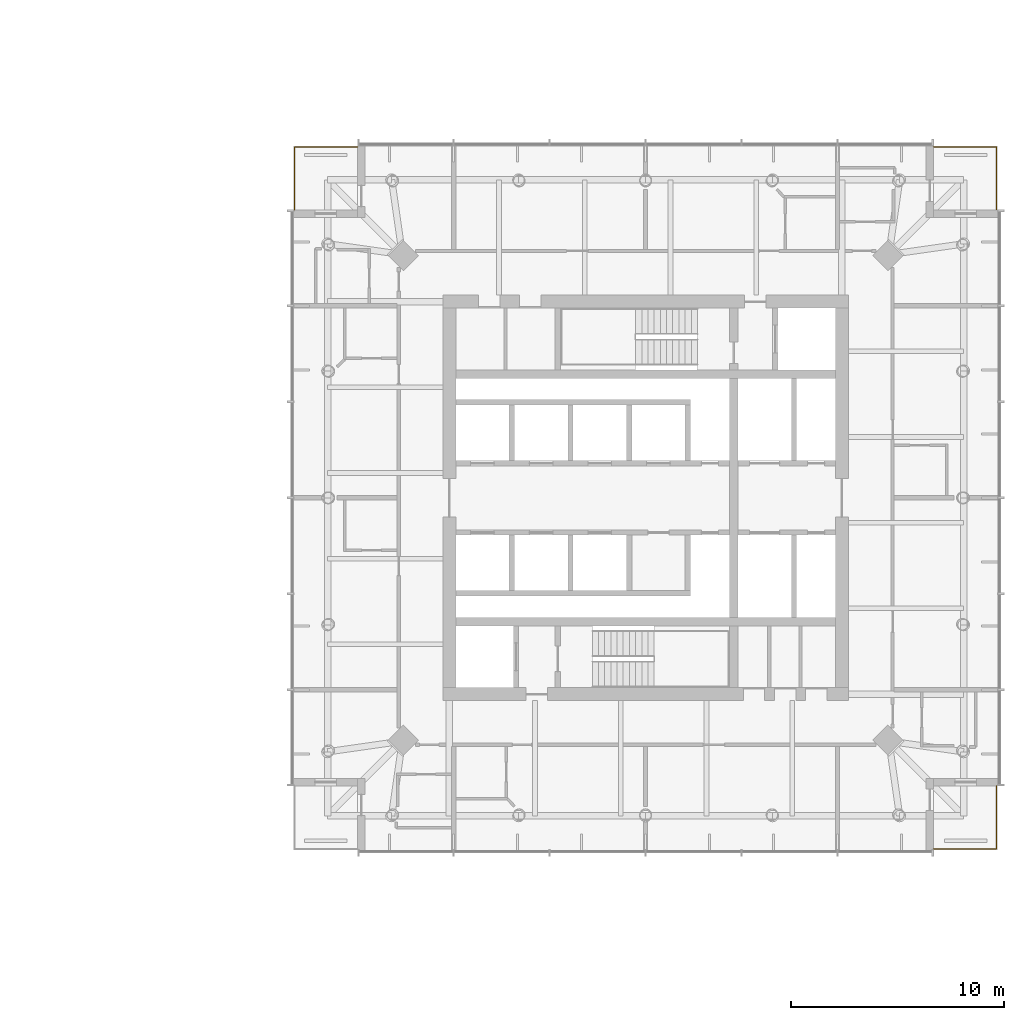
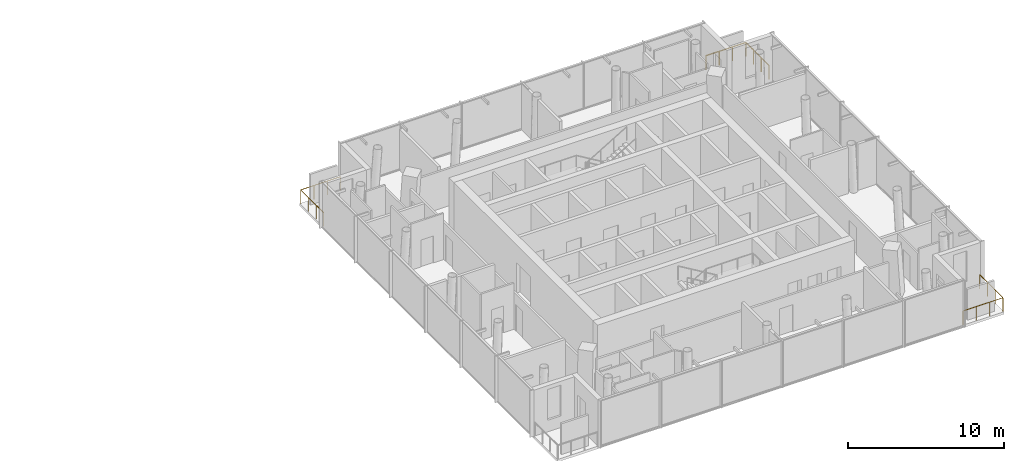
# One storey, part 19 of 19: 3 railings.
"""IFC4 building model written with IfcOpenShell, lengths in metres."""

from ifc_helpers import new_model, si_unit, direction, frame, origin, origin_2d, place, context, subcontext, project, spatial, circle, extrude, material, type_object, element, save


model = new_model("IFC4")

# Units and contexts
model_context = context("Model", 3, precision=1e-05, world=origin(), true_north=direction((0.0, 1.0)))
body_context = subcontext(model_context, "Body", "Model", "MODEL_VIEW")
ifc_project = project(units=[si_unit("LENGTHUNIT", "METRE"), si_unit("AREAUNIT", "SQUARE_METRE"), si_unit("VOLUMEUNIT", "CUBIC_METRE"), si_unit("PLANEANGLEUNIT", "RADIAN"), si_unit("MASSUNIT", "GRAM", prefix="KILO")], contexts=[model_context])

# Site, building, storey
site_placement = place(None, origin())
site = spatial("IfcSite", under=ifc_project, at=site_placement, CompositionType="ELEMENT")
building_placement = place(site_placement, origin())
building = spatial("IfcBuilding", under=site, at=building_placement, Name="Ostroluk Exchange", CompositionType="ELEMENT")
storey_placement = place(building_placement, frame((0.0, 0.0, 116.0)))
storey = spatial("IfcBuildingStorey", under=building, at=storey_placement, Name="L29", CompositionType="ELEMENT", Elevation=116.0)

# Railings
ifc_material = material(Name="Stainless steel", Category="steel")
railing_type = type_object("IfcRailingType", Name="Guard 1100 stainless steel", PredefinedType="GUARDRAIL", material=ifc_material)
railing_1_placement = place(storey_placement, frame((130.5, 29.550048828125, 0.0)))
element("IfcRailing", 1, at=railing_1_placement, inside=storey, type_object=railing_type, Name="Hotel tower SE balcony guard L29", PredefinedType="GUARDRAIL", context=body_context, shape_type="SweptSolid", body=[
    extrude(circle(Radius=0.02392578125, at=origin_2d()), frame((0.0, 0.0, 1.076171875), z_axis=(1.0, 0.0, 0.0), x_axis=(0.0, 1.0, 0.0)), (0.0, 0.0, 1.0), 2.949951171875),
    extrude(circle(Radius=0.02392578125, at=origin_2d()), frame((2.949951171875, 0.0, 1.076171875), z_axis=(0.0, 1.0, 0.0), x_axis=(-1.0, 0.0, 0.0)), (0.0, 0.0, 1.0), 2.949951171875),
    extrude(circle(Radius=0.02099609375, at=origin_2d()), origin(), (0.0, 0.0, 1.0), 1.052001953125),
    extrude(circle(Radius=0.02099609375, at=origin_2d()), frame((0.9833984375, 0.0, 0.0)), (0.0, 0.0, 1.0), 1.052001953125),
    extrude(circle(Radius=0.02099609375, at=origin_2d()), frame((1.966552734375, 0.0, 0.0)), (0.0, 0.0, 1.0), 1.052001953125),
    extrude(circle(Radius=0.02099609375, at=origin_2d()), frame((2.949951171875, 0.0, 0.0)), (0.0, 0.0, 1.0), 1.052001953125),
    extrude(circle(Radius=0.02099609375, at=origin_2d()), frame((2.949951171875, 0.9833984375, 0.0)), (0.0, 0.0, 1.0), 1.052001953125),
    extrude(circle(Radius=0.02099609375, at=origin_2d()), frame((2.949951171875, 1.966552734375, 0.0)), (0.0, 0.0, 1.0), 1.052001953125),
    extrude(circle(Radius=0.02099609375, at=origin_2d()), frame((2.949951171875, 2.949951171875, 0.0)), (0.0, 0.0, 1.0), 1.052001953125),
])
railing_2_placement = place(storey_placement, frame((130.5, 62.449951171875, 0.0)))
element("IfcRailing", 2, at=railing_2_placement, inside=storey, type_object=railing_type, Name="Hotel tower NE balcony guard L29", PredefinedType="GUARDRAIL", context=body_context, shape_type="SweptSolid", body=[
    extrude(circle(Radius=0.02392578125, at=origin_2d()), frame((0.0, 0.0, 1.076171875), z_axis=(1.0, 0.0, 0.0), x_axis=(0.0, 1.0, 0.0)), (0.0, 0.0, 1.0), 2.949951171875),
    extrude(circle(Radius=0.02392578125, at=origin_2d()), frame((2.949951171875, 0.0, 1.076171875), z_axis=(0.0, -1.0, 0.0), x_axis=(1.0, 0.0, 0.0)), (0.0, 0.0, 1.0), 2.949951171875),
    extrude(circle(Radius=0.02099609375, at=origin_2d()), origin(), (0.0, 0.0, 1.0), 1.052001953125),
    extrude(circle(Radius=0.02099609375, at=origin_2d()), frame((0.9833984375, 0.0, 0.0)), (0.0, 0.0, 1.0), 1.052001953125),
    extrude(circle(Radius=0.02099609375, at=origin_2d()), frame((1.966552734375, 0.0, 0.0)), (0.0, 0.0, 1.0), 1.052001953125),
    extrude(circle(Radius=0.02099609375, at=origin_2d()), frame((2.949951171875, 0.0, 0.0)), (0.0, 0.0, 1.0), 1.052001953125),
    extrude(circle(Radius=0.02099609375, at=origin_2d()), frame((2.949951171875, -0.9833984375, 0.0)), (0.0, 0.0, 1.0), 1.052001953125),
    extrude(circle(Radius=0.02099609375, at=origin_2d()), frame((2.949951171875, -1.966552734375, 0.0)), (0.0, 0.0, 1.0), 1.052001953125),
    extrude(circle(Radius=0.02099609375, at=origin_2d()), frame((2.949951171875, -2.949951171875, 0.0)), (0.0, 0.0, 1.0), 1.052001953125),
])
railing_3_placement = place(storey_placement, frame((103.5, 62.449951171875, 0.0)))
element("IfcRailing", 3, at=railing_3_placement, inside=storey, type_object=railing_type, Name="Hotel tower NW balcony guard L29", PredefinedType="GUARDRAIL", context=body_context, shape_type="SweptSolid", body=[
    extrude(circle(Radius=0.02392578125, at=origin_2d()), frame((0.0, 0.0, 1.076171875), z_axis=(-1.0, 0.0, 0.0), x_axis=(0.0, -1.0, 0.0)), (0.0, 0.0, 1.0), 2.949951171875),
    extrude(circle(Radius=0.02392578125, at=origin_2d()), frame((-2.949951171875, 0.0, 1.076171875), z_axis=(0.0, -1.0, 0.0), x_axis=(1.0, 0.0, 0.0)), (0.0, 0.0, 1.0), 2.949951171875),
    extrude(circle(Radius=0.02099609375, at=origin_2d()), origin(), (0.0, 0.0, 1.0), 1.052001953125),
    extrude(circle(Radius=0.02099609375, at=origin_2d()), frame((-0.9833984375, 0.0, 0.0)), (0.0, 0.0, 1.0), 1.052001953125),
    extrude(circle(Radius=0.02099609375, at=origin_2d()), frame((-1.966552734375, 0.0, 0.0)), (0.0, 0.0, 1.0), 1.052001953125),
    extrude(circle(Radius=0.02099609375, at=origin_2d()), frame((-2.949951171875, 0.0, 0.0)), (0.0, 0.0, 1.0), 1.052001953125),
    extrude(circle(Radius=0.02099609375, at=origin_2d()), frame((-2.949951171875, -0.9833984375, 0.0)), (0.0, 0.0, 1.0), 1.052001953125),
    extrude(circle(Radius=0.02099609375, at=origin_2d()), frame((-2.949951171875, -1.966552734375, 0.0)), (0.0, 0.0, 1.0), 1.052001953125),
    extrude(circle(Radius=0.02099609375, at=origin_2d()), frame((-2.949951171875, -2.949951171875, 0.0)), (0.0, 0.0, 1.0), 1.052001953125),
])

save(model, "model.ifc")
